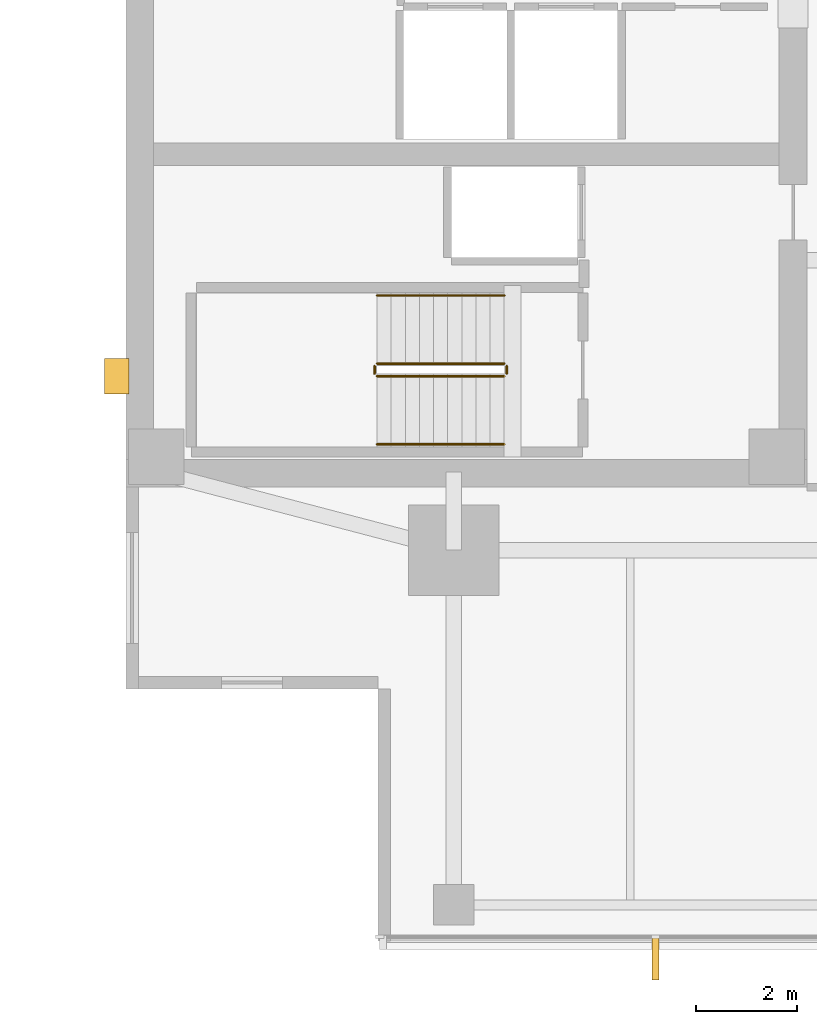
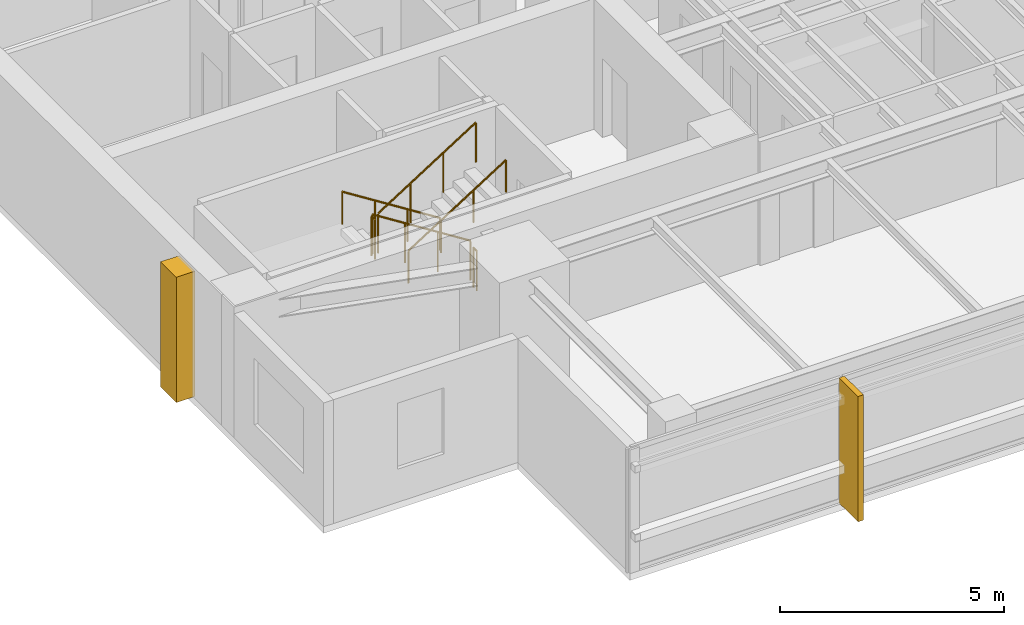
# One storey, part 11 of 14: 6 railings, 2 coverings.
"""IFC4 building model written with IfcOpenShell, lengths in metres."""

from ifc_helpers import new_model, si_unit, direction, frame, origin, origin_2d, place, context, subcontext, project, spatial, polyline, circle, outline, extrude, material, layer, layer_set, type_object, element, save


model = new_model("IFC4")

# Units and contexts
model_context = context("Model", 3, precision=1e-05, world=origin(), true_north=direction((0.0, 1.0)))
body_context = subcontext(model_context, "Body", "Model", "MODEL_VIEW")
ifc_project = project(units=[si_unit("LENGTHUNIT", "METRE"), si_unit("AREAUNIT", "SQUARE_METRE"), si_unit("VOLUMEUNIT", "CUBIC_METRE"), si_unit("PLANEANGLEUNIT", "RADIAN"), si_unit("MASSUNIT", "GRAM", prefix="KILO")], contexts=[model_context])

# Site, building, storey
site_placement = place(None, origin())
site = spatial("IfcSite", under=ifc_project, at=site_placement, CompositionType="ELEMENT")
building_placement = place(site_placement, origin())
building = spatial("IfcBuilding", under=site, at=building_placement, Name="Kinhvarn Gate Tower", CompositionType="ELEMENT")
storey_placement = place(building_placement, frame((0.0, 0.0, 198.699951171875)))
storey = spatial("IfcBuildingStorey", under=building, at=storey_placement, Name="L52", CompositionType="ELEMENT", Elevation=198.699951171875)

# Coverings
ifc_material_1 = material(Name="Fired architectural terracotta", Category="masonry")
ifc_layer_1 = layer(ifc_material_1, 0.139892578125)
ifc_layer_set_1 = layer_set([ifc_layer_1], Name="Fired architectural terracotta")
covering_type_1 = type_object("IfcCoveringType", Name="COV-FIN-850", PredefinedType="CLADDING", material=ifc_layer_set_1)
covering_1_placement = place(storey_placement, frame((0.0, 0.0, -0.02001953125)))
element("IfcCovering", 1, at=covering_1_placement, inside=storey, type_object=covering_type_1, Name="Vertical Terracotta Expressive Fin TFN-850 (L52)", PredefinedType="CLADDING", context=body_context, shape_type="SweptSolid", body=[
    extrude(outline(polyline([(14.929931640625, 5.080078125), (15.070068359375, 5.080078125), (15.070068359375, 4.22998046875), (14.929931640625, 4.22998046875), (14.929931640625, 5.080078125)])), origin(), (0.0, 0.0, 1.0), 3.41015625),
])
ifc_material_2 = material(Name="Precast white architectural concrete C40/50", Category="concrete")
ifc_layer_2 = layer(ifc_material_2, 0.47998046875)
ifc_layer_set_2 = layer_set([ifc_layer_2], Name="Precast white architectural concrete C40/50")
covering_type_2 = type_object("IfcCoveringType", Name="COV-RIB-450", PredefinedType="CLADDING", material=ifc_layer_set_2)
covering_2_placement = place(storey_placement, frame((0.0, 0.0, -0.02001953125)))
element("IfcCovering", 2, at=covering_2_placement, inside=storey, type_object=covering_type_2, Name="West Core Sculptural Concrete Relief Rib CRB-450 (L52)", PredefinedType="CLADDING", context=body_context, shape_type="SweptSolid", body=[
    extrude(outline(polyline([(4.080078125, 15.85009765625), (4.56005859375, 15.85009765625), (4.56005859375, 16.550048828125), (4.080078125, 16.550048828125), (4.080078125, 15.85009765625)])), origin(), (0.0, 0.0, 1.0), 3.41015625),
])

# Railings
ifc_material_3 = material(Name="Steel S355", Category="steel")
railing_type_1 = type_object("IfcRailingType", Name="RL-ST-GRD", PredefinedType="BALUSTRADE", material=ifc_material_3)
railing_1_placement = place(storey_placement, frame((12.0, 16.449951171875, 0.177490234375)))
element("IfcRailing", 3, at=railing_1_placement, inside=storey, type_object=railing_type_1, Name="L52 ST1 stair guard 1", PredefinedType="BALUSTRADE", context=body_context, shape_type="SweptSolid", body=[
    extrude(circle(Radius=0.02392578125, at=origin_2d()), frame((0.0, 0.0, 1.076171875), z_axis=(-0.84456994832, 0.0, 0.535445237532), x_axis=(0.0, -1.0, 0.0)), (0.0, 0.0, 1.0), 2.98388671875),
    extrude(circle(Radius=0.02099609375, at=origin_2d()), origin(), (0.0, 0.0, 1.0), 1.052001953125),
    extrude(circle(Radius=0.02099609375, at=origin_2d()), frame((-0.840087890625, 0.0, 0.532470703125)), (0.0, 0.0, 1.0), 1.052001953125),
    extrude(circle(Radius=0.02099609375, at=origin_2d()), frame((-1.679931640625, 0.0, 1.065185546875)), (0.0, 0.0, 1.0), 1.052001953125),
    extrude(circle(Radius=0.02099609375, at=origin_2d()), frame((-2.52001953125, 0.0, 1.59765625)), (0.0, 0.0, 1.0), 1.052001953125),
])
railing_2_placement = place(storey_placement, frame((9.429931640625, 16.39990234375, 1.775146484375)))
element("IfcRailing", 4, at=railing_2_placement, inside=storey, type_object=railing_type_1, Name="L52 ST1 stair guard 2", PredefinedType="BALUSTRADE", context=body_context, shape_type="SweptSolid", body=[
    extrude(circle(Radius=0.02392578125, at=origin_2d()), frame((0.0, 0.0, 1.076171875), z_axis=(0.0, -1.0, 0.0), x_axis=(1.0, 0.0, 0.0)), (0.0, 0.0, 1.0), 0.14990234375),
    extrude(circle(Radius=0.02099609375, at=origin_2d()), origin(), (0.0, 0.0, 1.0), 1.052001953125),
    extrude(circle(Radius=0.02099609375, at=origin_2d()), frame((0.0, -0.14990234375, 0.0)), (0.0, 0.0, 1.0), 1.052001953125),
])
railing_3_placement = place(storey_placement, frame((9.47998046875, 16.199951171875, 1.95263671875)))
element("IfcRailing", 5, at=railing_3_placement, inside=storey, type_object=railing_type_1, Name="L52 ST1 stair guard 3", PredefinedType="BALUSTRADE", context=body_context, shape_type="SweptSolid", body=[
    extrude(circle(Radius=0.02392578125, at=origin_2d()), frame((0.0, 0.0, 1.076171875), z_axis=(0.84460694969, 0.0, 0.535386869969), x_axis=(0.0, 1.0, 0.0)), (0.0, 0.0, 1.0), 2.983642578125),
    extrude(circle(Radius=0.02099609375, at=origin_2d()), origin(), (0.0, 0.0, 1.0), 1.052001953125),
    extrude(circle(Radius=0.02099609375, at=origin_2d()), frame((0.840087890625, 0.0, 0.532470703125)), (0.0, 0.0, 1.0), 1.052001953125),
    extrude(circle(Radius=0.02099609375, at=origin_2d()), frame((1.679931640625, 0.0, 1.06494140625)), (0.0, 0.0, 1.0), 1.052001953125),
    extrude(circle(Radius=0.02099609375, at=origin_2d()), frame((2.52001953125, 0.0, 1.597412109375)), (0.0, 0.0, 1.0), 1.052001953125),
])
railing_4_placement = place(storey_placement, frame((12.050048828125, 16.39990234375, 0.0)))
element("IfcRailing", 6, at=railing_4_placement, inside=storey, type_object=railing_type_1, Name="L52 ST1 stair guard 4", PredefinedType="BALUSTRADE", context=body_context, shape_type="SweptSolid", body=[
    extrude(circle(Radius=0.02392578125, at=origin_2d()), frame((0.0, 0.0, 1.076171875), z_axis=(0.0, -1.0, 0.0), x_axis=(1.0, 0.0, 0.0)), (0.0, 0.0, 1.0), 0.14990234375),
    extrude(circle(Radius=0.02099609375, at=origin_2d()), origin(), (0.0, 0.0, 1.0), 1.052001953125),
    extrude(circle(Radius=0.02099609375, at=origin_2d()), frame((0.0, -0.14990234375, 0.0)), (0.0, 0.0, 1.0), 1.052001953125),
])
railing_type_2 = type_object("IfcRailingType", Name="RL-ST-HND", PredefinedType="HANDRAIL", material=ifc_material_3)
railing_5_placement = place(storey_placement, frame((12.0, 17.800048828125, 0.177490234375)))
element("IfcRailing", 7, at=railing_5_placement, inside=storey, type_object=railing_type_2, Name="L52 ST1 stair handrail 1", PredefinedType="HANDRAIL", context=body_context, shape_type="SweptSolid", body=[
    extrude(circle(Radius=0.02392578125, at=origin_2d()), frame((0.0, 0.0, 0.8759765625), z_axis=(-0.84456994832, 0.0, 0.535445237532), x_axis=(0.0, -1.0, 0.0)), (0.0, 0.0, 1.0), 2.98388671875),
    extrude(circle(Radius=0.02099609375, at=origin_2d()), origin(), (0.0, 0.0, 1.0), 0.851806640625),
    extrude(circle(Radius=0.02099609375, at=origin_2d()), frame((-0.840087890625, 0.0, 0.532470703125)), (0.0, 0.0, 1.0), 0.851806640625),
    extrude(circle(Radius=0.02099609375, at=origin_2d()), frame((-1.679931640625, 0.0, 1.065185546875)), (0.0, 0.0, 1.0), 0.851806640625),
    extrude(circle(Radius=0.02099609375, at=origin_2d()), frame((-2.52001953125, 0.0, 1.59765625)), (0.0, 0.0, 1.0), 0.851806640625),
])
railing_6_placement = place(storey_placement, frame((9.47998046875, 14.85009765625, 1.95263671875)))
element("IfcRailing", 8, at=railing_6_placement, inside=storey, type_object=railing_type_2, Name="L52 ST1 stair handrail 2", PredefinedType="HANDRAIL", context=body_context, shape_type="SweptSolid", body=[
    extrude(circle(Radius=0.02392578125, at=origin_2d()), frame((0.0, 0.0, 0.8759765625), z_axis=(0.84460694969, 0.0, 0.535386869969), x_axis=(0.0, 1.0, 0.0)), (0.0, 0.0, 1.0), 2.983642578125),
    extrude(circle(Radius=0.02099609375, at=origin_2d()), origin(), (0.0, 0.0, 1.0), 0.851806640625),
    extrude(circle(Radius=0.02099609375, at=origin_2d()), frame((0.840087890625, 0.0, 0.532470703125)), (0.0, 0.0, 1.0), 0.851806640625),
    extrude(circle(Radius=0.02099609375, at=origin_2d()), frame((1.679931640625, 0.0, 1.06494140625)), (0.0, 0.0, 1.0), 0.851806640625),
    extrude(circle(Radius=0.02099609375, at=origin_2d()), frame((2.52001953125, 0.0, 1.597412109375)), (0.0, 0.0, 1.0), 0.851806640625),
])

save(model, "model.ifc")
